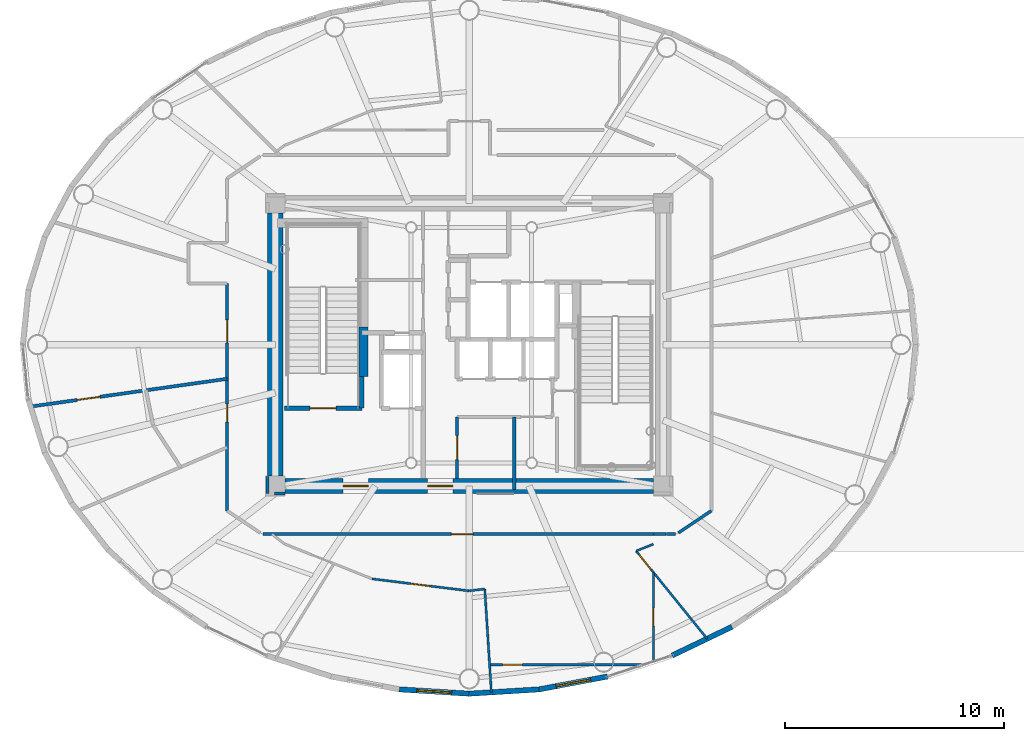
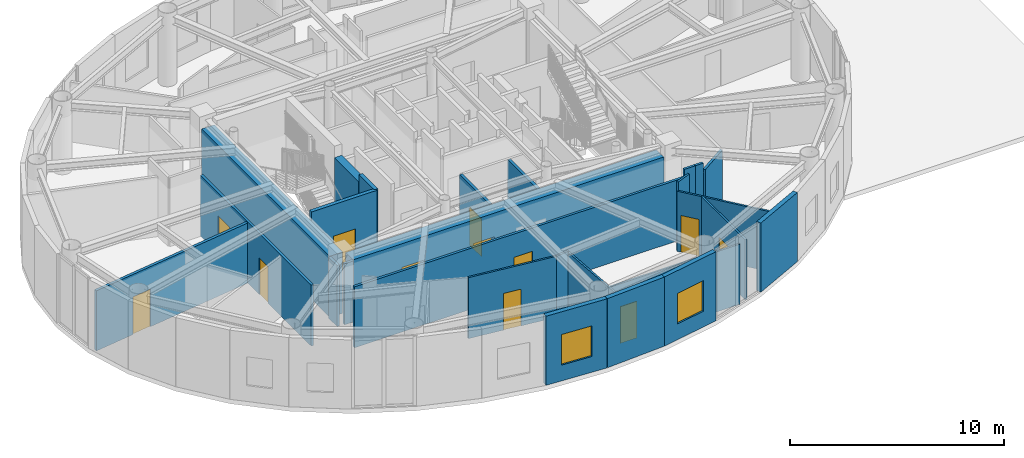
# One storey, part 14 of 24: 26 walls, 12 doors, 2 windows, 14 openings.
"""IFC4 building model written with IfcOpenShell, lengths in metres."""

from ifc_helpers import new_model, si_unit, direction, frame, frame_2d, origin, origin_2d, place, context, subcontext, project, spatial, rectangle, extrude, source, transform, mapped, material, layer, layer_set, type_object, element, fill, save


model = new_model("IFC4")

# Units and contexts
model_context = context("Model", 3, precision=1e-05, world=origin(), true_north=direction((0.0, 1.0)))
body_context = subcontext(model_context, "Body", "Model", "MODEL_VIEW")
ifc_project = project(units=[si_unit("LENGTHUNIT", "METRE"), si_unit("AREAUNIT", "SQUARE_METRE"), si_unit("VOLUMEUNIT", "CUBIC_METRE"), si_unit("PLANEANGLEUNIT", "RADIAN"), si_unit("MASSUNIT", "GRAM", prefix="KILO")], contexts=[model_context])

# Site, building, storey
site_placement = place(None, origin())
site = spatial("IfcSite", under=ifc_project, at=site_placement, CompositionType="ELEMENT")
building_placement = place(site_placement, origin())
building = spatial("IfcBuilding", under=site, at=building_placement, Name="Linh Dai School and Residence Tower", CompositionType="ELEMENT")
storey_placement = place(building_placement, frame((0.0, 0.0, 355.199951171875)))
storey = spatial("IfcBuildingStorey", under=building, at=storey_placement, Name="L88", CompositionType="ELEMENT", Elevation=355.199951171875)

# Wall, opening, window
ifc_material_1 = material(Name="Precast Concrete B45 (C35/45)", Category="concrete")
ifc_layer_1 = layer(ifc_material_1, 0.239990234375)
ifc_layer_set_1 = layer_set([ifc_layer_1], Name="Precast Concrete B45 (C35/45)")
wall_type_1 = type_object("IfcWallType", Name="EW-TC-240", PredefinedType="SOLIDWALL", material=ifc_layer_set_1)
wall_1_placement = place(storey_placement, frame((36.0, 11.070068359375, 0.0), z_axis=(0.0, 0.0, 1.0), x_axis=(-0.998109204399, 0.061465568355, 0.0)))
wall_1 = element("IfcWall", 1, at=wall_1_placement, inside=storey, type_object=wall_type_1, Name="L88 Terracotta Exterior Wall 30", PredefinedType="SOLIDWALL", context=body_context, shape_type="SweptSolid", body=[
    extrude(rectangle(XDim=3.197509765625, YDim=0.239990234375, at=frame_2d((1.5986328125, 0.0))), origin(), (0.0, 0.0, 1.0), 3.949951171875),
])
opening_1_placement = place(wall_1_placement, frame((0.798828125, 0.0, 0.89990234375)))
opening_1 = element("IfcOpeningElement", 2, at=opening_1_placement, cuts=wall_1, Name="Opening W2", PredefinedType="OPENING", context=body_context, shape_type="SweptSolid", body=[
    extrude(rectangle(XDim=1.60009765625, YDim=1.75, at=origin_2d()), frame((0.800048828125, 0.1298828125, 0.875), z_axis=(0.0, -1.0, 0.0), x_axis=(1.0, 0.0, 0.0)), (0.0, 0.0, 1.0), 0.260009765625),
])
ifc_material_2 = material(Name="Double Low-E Insulated Glazing", Category="glass")
window_type = type_object("IfcWindowType", Name="WN-RES-1600x1750", PartitioningType="DOUBLE_PANEL_VERTICAL", PredefinedType="WINDOW", material=ifc_material_2)
shared_shape_1 = source(origin(), body_context, "Body", "SweptSolid", [
    extrude(rectangle(XDim=1.60009765625, YDim=1.75, at=origin_2d()), frame((0.800048828125, 0.030029296875, 0.875), z_axis=(0.0, -1.0, 0.0), x_axis=(1.0, 0.0, 0.0)), (0.0, 0.0, 1.0), 0.06005859375),
])
window_1_placement = place(opening_1_placement, origin())
window_1 = element("IfcWindow", 3, at=window_1_placement, inside=storey, type_object=window_type, Name="L88 Exterior Window 30.1", OverallHeight=1.75, OverallWidth=1.60009765625, PartitioningType="DOUBLE_PANEL_VERTICAL", PredefinedType="WINDOW", context=body_context, shape_type="MappedRepresentation", body=[
    mapped(shared_shape_1, transform((0.0, 0.0, 0.0), x_axis=(1.0, 0.0, 0.0), y_axis=(0.0, 1.0, 0.0), z_axis=(0.0, 0.0, 1.0), scale=1.0)),
])
fill(opening_1, window_1)

# Wall
wall_2_placement = place(storey_placement, frame((39.19140625, 11.2666015625, 0.0), z_axis=(0.0, 0.0, 1.0), x_axis=(-0.998109204399, -0.061465568355, 0.0)))
element("IfcWall", 4, at=wall_2_placement, inside=storey, type_object=wall_type_1, Name="L88 Terracotta Exterior Wall 31", PredefinedType="SOLIDWALL", context=body_context, shape_type="SweptSolid", body=[
    extrude(rectangle(XDim=3.197509765625, YDim=0.239990234375, at=frame_2d((1.5986328125, 0.0))), origin(), (0.0, 0.0, 1.0), 3.949951171875),
])

# Wall, opening, window
wall_3_placement = place(storey_placement, frame((42.303955078125, 11.85205078125, 0.0), z_axis=(0.0, 0.0, 1.0), x_axis=(-0.98276643264, -0.184851667226, 0.0)))
wall_3 = element("IfcWall", 5, at=wall_3_placement, inside=storey, type_object=wall_type_1, Name="L88 Terracotta Exterior Wall 32", PredefinedType="SOLIDWALL", context=body_context, shape_type="SweptSolid", body=[
    extrude(rectangle(XDim=3.167236328125, YDim=0.239990234375, at=frame_2d((1.58349609375, 0.0))), origin(), (0.0, 0.0, 1.0), 3.949951171875),
])
opening_2_placement = place(wall_3_placement, frame((0.78369140625, 0.0, 0.89990234375)))
opening_2 = element("IfcOpeningElement", 6, at=opening_2_placement, cuts=wall_3, Name="Opening W2", PredefinedType="OPENING", context=body_context, shape_type="SweptSolid", body=[
    extrude(rectangle(XDim=1.60009765625, YDim=1.75, at=origin_2d()), frame((0.800048828125, 0.1298828125, 0.875), z_axis=(0.0, -1.0, 0.0), x_axis=(1.0, 0.0, 0.0)), (0.0, 0.0, 1.0), 0.260009765625),
])
window_2_placement = place(opening_2_placement, origin())
window_2 = element("IfcWindow", 7, at=window_2_placement, inside=storey, type_object=window_type, Name="L88 Exterior Window 32.1", OverallHeight=1.75, OverallWidth=1.60009765625, PartitioningType="DOUBLE_PANEL_VERTICAL", PredefinedType="WINDOW", context=body_context, shape_type="MappedRepresentation", body=[
    mapped(shared_shape_1, transform((0.0, 0.0, 0.0), x_axis=(1.0, 0.0, 0.0), y_axis=(0.0, 1.0, 0.0), z_axis=(0.0, 0.0, 1.0), scale=1.0)),
])
fill(opening_2, window_2)

# Wall
wall_4_placement = place(storey_placement, frame((47.98779296875, 14.119873046875, 0.0), z_axis=(0.0, 0.0, 1.0), x_axis=(-0.901557057889, -0.432660226241, 0.0)))
element("IfcWall", 8, at=wall_4_placement, inside=storey, type_object=wall_type_1, Name="L88 Terracotta Exterior Wall 34", PredefinedType="SOLIDWALL", context=body_context, shape_type="SweptSolid", body=[
    extrude(rectangle(XDim=3.025146484375, YDim=0.239990234375, at=frame_2d((1.5126953125, 0.0))), origin(), (0.0, 0.0, 1.0), 3.949951171875),
])

# Wall, openings, doors
ifc_material_3 = material(Name="Autoclaved Aerated Concrete Blockwork", Category="masonry")
ifc_layer_2 = layer(ifc_material_3, 0.135009765625)
ifc_layer_set_2 = layer_set([ifc_layer_2], Name="Autoclaved Aerated Concrete Blockwork")
wall_type_2 = type_object("IfcWallType", Name="IW-CORR-135-EI90", PredefinedType="PARTITIONING", material=ifc_layer_set_2)
wall_5_placement = place(storey_placement, frame((24.949951171875, 19.41748046875, 0.0), z_axis=(0.0, 0.0, 1.0), x_axis=(0.0, 1.0, 0.0)))
wall_5 = element("IfcWall", 9, at=wall_5_placement, inside=storey, type_object=wall_type_2, Name="L88 Interior Partition Wall 010", PredefinedType="PARTITIONING", context=body_context, shape_type="SweptSolid", body=[
    extrude(rectangle(XDim=10.382568359375, YDim=0.135009765625, at=frame_2d((5.19140625, 0.0))), origin(), (0.0, 0.0, 1.0), 3.485107421875),
])
opening_3_placement = place(wall_5_placement, frame((7.6572265625, 0.0, 0.0)))
opening_3 = element("IfcOpeningElement", 10, at=opening_3_placement, cuts=wall_5, Name="Opening D04", PredefinedType="OPENING", context=body_context, shape_type="SweptSolid", body=[
    extrude(rectangle(XDim=1.050048828125, YDim=2.14990234375, at=origin_2d()), frame((0.52490234375, 0.07763671875, 1.074951171875), z_axis=(0.0, -1.0, 0.0), x_axis=(1.0, 0.0, 0.0)), (0.0, 0.0, 1.0), 0.155029296875),
])
opening_4_placement = place(wall_5_placement, frame((4.047119140625, 0.0, 0.0)))
opening_4 = element("IfcOpeningElement", 11, at=opening_4_placement, cuts=wall_5, Name="Opening D06", PredefinedType="OPENING", context=body_context, shape_type="SweptSolid", body=[
    extrude(rectangle(XDim=0.820068359375, YDim=2.10009765625, at=origin_2d()), frame((0.41015625, 0.07763671875, 1.050048828125), z_axis=(0.0, -1.0, 0.0), x_axis=(1.0, 0.0, 0.0)), (0.0, 0.0, 1.0), 0.155029296875),
])
ifc_material_4 = material(Name="Acoustic Vision-Panel Timber Classroom Door", Category="wood")
door_type_1 = type_object("IfcDoorType", Name="DR-SCH-1050x2150-FD60S", OperationType="NOTDEFINED", PredefinedType="DOOR", material=ifc_material_4)
shared_shape_2 = source(origin(), body_context, "Body", "SweptSolid", [
    extrude(rectangle(XDim=1.050048828125, YDim=2.14990234375, at=origin_2d()), frame((0.52490234375, 0.02490234375, 1.074951171875), z_axis=(0.0, -1.0, 0.0), x_axis=(1.0, 0.0, 0.0)), (0.0, 0.0, 1.0), 0.050048828125),
])
door_1_placement = place(opening_3_placement, origin())
door_1 = element("IfcDoor", 12, at=door_1_placement, inside=storey, type_object=door_type_1, Name="L88 Crown Sky Wintergarden Lounge Reading Room Door", OperationType="SINGLE_SWING_LEFT", OverallHeight=2.14990234375, OverallWidth=1.050048828125, PredefinedType="DOOR", context=body_context, shape_type="MappedRepresentation", body=[
    mapped(shared_shape_2, transform((0.0, 0.0, 0.0), x_axis=(1.0, 0.0, 0.0), y_axis=(0.0, 1.0, 0.0), z_axis=(0.0, 0.0, 1.0), scale=1.0)),
])
fill(opening_3, door_1)
ifc_material_5 = material(Name="Moisture-Resistant Timber Bathroom Door", Category="wood")
door_type_2 = type_object("IfcDoorType", Name="DR-WET-820x2100", OperationType="NOTDEFINED", PredefinedType="DOOR", material=ifc_material_5)
shared_shape_3 = source(origin(), body_context, "Body", "SweptSolid", [
    extrude(rectangle(XDim=0.820068359375, YDim=2.10009765625, at=origin_2d()), frame((0.41015625, 0.02490234375, 1.050048828125), z_axis=(0.0, -1.0, 0.0), x_axis=(1.0, 0.0, 0.0)), (0.0, 0.0, 1.0), 0.050048828125),
])
door_2_placement = place(opening_4_placement, origin())
door_2 = element("IfcDoor", 13, at=door_2_placement, inside=storey, type_object=door_type_2, Name="L88 Amenity Accessible WC Door", OperationType="SINGLE_SWING_RIGHT", OverallHeight=2.10009765625, OverallWidth=0.820068359375, PredefinedType="DOOR", context=body_context, shape_type="MappedRepresentation", body=[
    mapped(shared_shape_3, transform((0.0, 0.0, 0.0), x_axis=(1.0, 0.0, 0.0), y_axis=(0.0, 1.0, 0.0), z_axis=(0.0, 0.0, 1.0), scale=1.0)),
])
fill(opening_4, door_2)

# Wall, opening, door
wall_6_placement = place(storey_placement, frame((26.580078125, 18.35009765625, 0.0), z_axis=(0.0, 0.0, 1.0), x_axis=(1.0, 0.0, 0.0)))
wall_6 = element("IfcWall", 14, at=wall_6_placement, inside=storey, type_object=wall_type_2, Name="L88 Interior Partition Wall 014", PredefinedType="PARTITIONING", context=body_context, shape_type="SweptSolid", body=[
    extrude(rectangle(XDim=17.8232421875, YDim=0.135009765625, at=frame_2d((8.91162109375, 0.0))), origin(), (0.0, 0.0, 1.0), 3.485107421875),
])
opening_5_placement = place(wall_6_placement, frame((8.60205078125, 0.0, 0.0)))
opening_5 = element("IfcOpeningElement", 15, at=opening_5_placement, cuts=wall_6, Name="Opening D03", PredefinedType="OPENING", context=body_context, shape_type="SweptSolid", body=[
    extrude(rectangle(XDim=1.0, YDim=2.14990234375, at=origin_2d()), frame((0.5, 0.07763671875, 1.074951171875), z_axis=(0.0, -1.0, 0.0), x_axis=(1.0, 0.0, 0.0)), (0.0, 0.0, 1.0), 0.155029296875),
])
ifc_material_6 = material(Name="Fire-Rated Solid Timber Entrance Door", Category="wood")
door_type_3 = type_object("IfcDoorType", Name="DR-FLAT-1000x2150-FD60S", OperationType="NOTDEFINED", PredefinedType="DOOR", material=ifc_material_6)
shared_shape_4 = source(origin(), body_context, "Body", "SweptSolid", [
    extrude(rectangle(XDim=1.0, YDim=2.14990234375, at=origin_2d()), frame((0.5, 0.02490234375, 1.074951171875), z_axis=(0.0, -1.0, 0.0), x_axis=(1.0, 0.0, 0.0)), (0.0, 0.0, 1.0), 0.050048828125),
])
door_3_placement = place(opening_5_placement, origin())
door_3 = element("IfcDoor", 16, at=door_3_placement, inside=storey, type_object=door_type_3, Name="L88 U8801 Apartment Entrance Door", OperationType="SINGLE_SWING_RIGHT", OverallHeight=2.14990234375, OverallWidth=1.0, PredefinedType="DOOR", context=body_context, shape_type="MappedRepresentation", body=[
    mapped(shared_shape_4, transform((0.0, 0.0, 0.0), x_axis=(1.0, 0.0, 0.0), y_axis=(0.0, 1.0, 0.0), z_axis=(0.0, 0.0, 1.0), scale=1.0)),
])
fill(opening_5, door_3)

wall_7_placement = place(storey_placement, frame((35.449951171875, 20.89990234375, 0.0), z_axis=(0.0, 0.0, 1.0), x_axis=(0.0, 1.0, 0.0)))
wall_7 = element("IfcWall", 17, at=wall_7_placement, inside=storey, type_object=wall_type_2, Name="L88 Interior Partition Wall 043", PredefinedType="PARTITIONING", context=body_context, shape_type="SweptSolid", body=[
    extrude(rectangle(XDim=2.800048828125, YDim=0.135009765625, at=frame_2d((1.39990234375, 0.0))), origin(), (0.0, 0.0, 1.0), 3.53515625),
])
opening_6_placement = place(wall_7_placement, frame((0.85009765625, 0.0, 0.0)))
opening_6 = element("IfcOpeningElement", 18, at=opening_6_placement, cuts=wall_7, Name="Opening D07", PredefinedType="OPENING", context=body_context, shape_type="SweptSolid", body=[
    extrude(rectangle(XDim=1.10009765625, YDim=2.14990234375, at=origin_2d()), frame((0.550048828125, 0.07763671875, 1.074951171875), z_axis=(0.0, -1.0, 0.0), x_axis=(1.0, 0.0, 0.0)), (0.0, 0.0, 1.0), 0.155029296875),
])
ifc_material_7 = material(Name="Fire-Rated Louvred Steel Plant Door", Category="steel")
door_type_4 = type_object("IfcDoorType", Name="DR-PLT-1100x2150-FD60S", OperationType="NOTDEFINED", PredefinedType="DOOR", material=ifc_material_7)
shared_shape_5 = source(origin(), body_context, "Body", "SweptSolid", [
    extrude(rectangle(XDim=1.10009765625, YDim=2.14990234375, at=origin_2d()), frame((0.550048828125, 0.02490234375, 1.074951171875), z_axis=(0.0, -1.0, 0.0), x_axis=(1.0, 0.0, 0.0)), (0.0, 0.0, 1.0), 0.050048828125),
])
door_4_placement = place(opening_6_placement, origin())
door_4 = element("IfcDoor", 19, at=door_4_placement, inside=storey, type_object=door_type_4, Name="L88 Floor Electrical Switchroom Door", OperationType="SINGLE_SWING_LEFT", OverallHeight=2.14990234375, OverallWidth=1.10009765625, PredefinedType="DOOR", context=body_context, shape_type="MappedRepresentation", body=[
    mapped(shared_shape_5, transform((0.0, 0.0, 0.0), x_axis=(1.0, 0.0, 0.0), y_axis=(0.0, 1.0, 0.0), z_axis=(0.0, 0.0, 1.0), scale=1.0)),
])
fill(opening_6, door_4)

# Walls
wall_8_placement = place(storey_placement, frame((44.999267578125, 18.35009765625, 0.0), z_axis=(0.0, 0.0, 1.0), x_axis=(1.0, 0.0, 0.0)))
element("IfcWall", 20, at=wall_8_placement, inside=storey, type_object=wall_type_2, Name="L88 Interior Partition Wall 071", PredefinedType="PARTITIONING", context=body_context, shape_type="SweptSolid", body=[
    extrude(rectangle(XDim=0.420654296875, YDim=0.135009765625, at=frame_2d((0.21044921875, 0.0))), origin(), (0.0, 0.0, 1.0), 3.949951171875),
])
wall_9_placement = place(storey_placement, frame((45.541259765625, 18.408203125, 0.0), z_axis=(0.0, 0.0, 1.0), x_axis=(0.831180227396, 0.556003084151, 0.0)))
element("IfcWall", 21, at=wall_9_placement, inside=storey, type_object=wall_type_2, Name="L88 Interior Partition Wall 073", PredefinedType="PARTITIONING", context=body_context, shape_type="SweptSolid", body=[
    extrude(rectangle(XDim=1.815185546875, YDim=0.135009765625, at=frame_2d((0.90771484375, 0.0))), origin(), (0.0, 0.0, 1.0), 3.485107421875),
])
wall_10_placement = place(storey_placement, frame((44.9892578125, 18.35009765625, 0.0), z_axis=(0.0, 0.0, 1.0), x_axis=(-1.0, 0.0, 0.0)))
element("IfcWall", 22, at=wall_10_placement, inside=storey, type_object=wall_type_2, Name="L88 Interior Partition Wall 083", PredefinedType="PARTITIONING", context=body_context, shape_type="SweptSolid", body=[
    extrude(rectangle(XDim=0.575927734375, YDim=0.135009765625, at=frame_2d((0.2880859375, 0.0))), origin(), (0.0, 0.0, 1.0), 3.949951171875),
])
wall_11_placement = place(storey_placement, frame((26.800048828125, 20.989990234375, 0.0), z_axis=(0.0, 0.0, 1.0), x_axis=(0.0, -1.0, 0.0)))
element("IfcWall", 23, at=wall_11_placement, inside=storey, type_object=wall_type_2, Name="L88 Interior Partition Wall 087", PredefinedType="PARTITIONING", context=body_context, shape_type="SweptSolid", body=[
    extrude(rectangle(XDim=0.7900390625, YDim=0.135009765625, at=frame_2d((0.39501953125, 0.0))), origin(), (0.0, 0.0, 1.0), 3.485107421875),
])
wall_12_placement = place(storey_placement, frame((27.107421875, 20.199951171875, 0.0), z_axis=(0.0, 0.0, 1.0), x_axis=(1.0, 0.0, 0.0)))
element("IfcWall", 24, at=wall_12_placement, inside=storey, type_object=wall_type_2, Name="L88 Interior Partition Wall 088", PredefinedType="PARTITIONING", context=body_context, shape_type="SweptSolid", body=[
    extrude(rectangle(XDim=0.482666015625, YDim=0.135009765625, at=frame_2d((0.2412109375, 0.0))), origin(), (0.0, 0.0, 1.0), 3.485107421875),
])

# Wall, opening, door
ifc_layer_3 = layer(ifc_material_3, 0.14990234375)
ifc_layer_set_3 = layer_set([ifc_layer_3], Name="Autoclaved Aerated Concrete Blockwork")
wall_type_3 = type_object("IfcWallType", Name="IW-SCH-150-EI60", PredefinedType="PARTITIONING", material=ifc_layer_set_3)
wall_13_placement = place(storey_placement, frame((15.974609375, 24.17138671875, 0.0), z_axis=(0.0, 0.0, 1.0), x_axis=(0.990170209823, 0.139867635928, 0.0)))
wall_13 = element("IfcWall", 25, at=wall_13_placement, inside=storey, type_object=wall_type_3, Name="L88 Interior Partition Wall 001", PredefinedType="PARTITIONING", context=body_context, shape_type="SweptSolid", body=[
    extrude(rectangle(XDim=9.064453125, YDim=0.14990234375, at=frame_2d((4.5322265625, 0.0))), origin(), (0.0, 0.0, 1.0), 3.43505859375),
])
opening_7_placement = place(wall_13_placement, frame((2.15966796875, 0.0, 0.0)))
opening_7 = element("IfcOpeningElement", 26, at=opening_7_placement, cuts=wall_13, Name="Opening D04", PredefinedType="OPENING", context=body_context, shape_type="SweptSolid", body=[
    extrude(rectangle(XDim=1.050048828125, YDim=2.14990234375, at=origin_2d()), frame((0.52490234375, 0.0849609375, 1.074951171875), z_axis=(0.0, -1.0, 0.0), x_axis=(1.0, 0.0, 0.0)), (0.0, 0.0, 1.0), 0.169921875),
])
door_5_placement = place(opening_7_placement, origin())
door_5 = element("IfcDoor", 27, at=door_5_placement, inside=storey, type_object=door_type_1, Name="L88 Amenity Tea Salon Door", OperationType="SINGLE_SWING_LEFT", OverallHeight=2.14990234375, OverallWidth=1.050048828125, PredefinedType="DOOR", context=body_context, shape_type="MappedRepresentation", body=[
    mapped(shared_shape_2, transform((0.0, 0.0, 0.0), x_axis=(1.0, 0.0, 0.0), y_axis=(0.0, 1.0, 0.0), z_axis=(0.0, 0.0, 1.0), scale=1.0)),
])
fill(opening_7, door_5)

# Wall
wall_14_placement = place(storey_placement, frame((38.050048828125, 20.3798828125, 0.0), z_axis=(0.0, 0.0, 1.0), x_axis=(0.0, 1.0, 0.0)))
element("IfcWall", 28, at=wall_14_placement, inside=storey, type_object=wall_type_3, Name="L88 Interior Partition Wall 057", PredefinedType="PARTITIONING", context=body_context, shape_type="SweptSolid", body=[
    extrude(rectangle(XDim=3.320068359375, YDim=0.14990234375, at=frame_2d((1.66015625, 0.0))), origin(), (0.0, 0.0, 1.0), 3.485107421875),
])

# Wall, opening, door
ifc_material_8 = material(Name="Concrete B45 (C35/45)", Category="concrete")
ifc_layer_4 = layer(ifc_material_8, 0.199951171875)
ifc_layer_set_4 = layer_set([ifc_layer_4], Name="Concrete B45 (C35/45)")
wall_type_4 = type_object("IfcWallType", Name="IW-SHAFT-200-EI120", PredefinedType="PARTITIONING", material=ifc_layer_set_4)
wall_15_placement = place(storey_placement, frame((27.56005859375, 24.10009765625, 0.0), z_axis=(0.0, 0.0, 1.0), x_axis=(1.0, 0.0, 0.0)))
wall_15 = element("IfcWall", 29, at=wall_15_placement, inside=storey, type_object=wall_type_4, Name="L88 Interior Partition Wall 019", PredefinedType="PARTITIONING", context=body_context, shape_type="SweptSolid", body=[
    extrude(rectangle(XDim=3.5400390625, YDim=0.199951171875, at=frame_2d((1.77001953125, 0.0))), origin(), (0.0, 0.0, 1.0), 3.949951171875),
])
opening_8_placement = place(wall_15_placement, frame((1.169921875, 0.0, 0.0)))
opening_8 = element("IfcOpeningElement", 30, at=opening_8_placement, cuts=wall_15, Name="Opening D01", PredefinedType="OPENING", context=body_context, shape_type="SweptSolid", body=[
    extrude(rectangle(XDim=1.199951171875, YDim=2.14990234375, at=origin_2d()), frame((0.60009765625, 0.10986328125, 1.074951171875), z_axis=(0.0, -1.0, 0.0), x_axis=(1.0, 0.0, 0.0)), (0.0, 0.0, 1.0), 0.219970703125),
])
ifc_material_9 = material(Name="Fire-Rated Steel Door Leaf", Category="steel")
door_type_5 = type_object("IfcDoorType", Name="DR-STAIR-1200x2150-FD90S", OperationType="NOTDEFINED", PredefinedType="DOOR", material=ifc_material_9)
shared_shape_6 = source(origin(), body_context, "Body", "SweptSolid", [
    extrude(rectangle(XDim=1.199951171875, YDim=2.14990234375, at=origin_2d()), frame((0.60009765625, 0.02490234375, 1.074951171875), z_axis=(0.0, -1.0, 0.0), x_axis=(1.0, 0.0, 0.0)), (0.0, 0.0, 1.0), 0.050048828125),
])
door_6_placement = place(opening_8_placement, origin())
door_6 = element("IfcDoor", 31, at=door_6_placement, inside=storey, type_object=door_type_5, Name="L88 Core Smokeproof Exit Stair ST1 Door", OperationType="SINGLE_SWING_RIGHT", OverallHeight=2.14990234375, OverallWidth=1.199951171875, PredefinedType="DOOR", context=body_context, shape_type="MappedRepresentation", body=[
    mapped(shared_shape_6, transform((0.0, 0.0, 0.0), x_axis=(1.0, 0.0, 0.0), y_axis=(0.0, 1.0, 0.0), z_axis=(0.0, 0.0, 1.0), scale=1.0)),
])
fill(opening_8, door_6)

# Wall
wall_16_placement = place(storey_placement, frame((31.10009765625, 24.10009765625, 0.0), z_axis=(0.0, 0.0, 1.0), x_axis=(0.0, 1.0, 0.0)))
element("IfcWall", 32, at=wall_16_placement, inside=storey, type_object=wall_type_4, Name="L88 Interior Partition Wall 025", PredefinedType="PARTITIONING", context=body_context, shape_type="SweptSolid", body=[
    extrude(rectangle(XDim=1.43994140625, YDim=0.199951171875, at=frame_2d((0.719970703125, 0.0))), origin(), (0.0, 0.0, 1.0), 3.949951171875),
])

# Wall, opening, door
ifc_material_10 = material(Name="Gypsum Plasterboard Acoustic Stud Partition", Category="masonry")
ifc_layer_5 = layer(ifc_material_10, 0.10009765625)
ifc_layer_set_5 = layer_set([ifc_layer_5], Name="Gypsum Plasterboard Acoustic Stud Partition")
wall_type_5 = type_object("IfcWallType", Name="IW-UNIT-100", PredefinedType="PARTITIONING", material=ifc_layer_set_5)
wall_17_placement = place(storey_placement, frame((31.565673828125, 16.3115234375, 0.0), z_axis=(0.0, 0.0, 1.0), x_axis=(0.992394278216, -0.123099945429, 0.0)))
wall_17 = element("IfcWall", 33, at=wall_17_placement, inside=storey, type_object=wall_type_5, Name="L88 Interior Partition Wall 027", PredefinedType="PARTITIONING", context=body_context, shape_type="SweptSolid", body=[
    extrude(rectangle(XDim=4.46826171875, YDim=0.10009765625, at=frame_2d((2.234130859375, 0.0))), origin(), (0.0, 0.0, 1.0), 3.485107421875),
])
opening_9_placement = place(wall_17_placement, frame((1.7841796875, 0.0, 0.0)))
opening_9 = element("IfcOpeningElement", 34, at=opening_9_placement, cuts=wall_17, Name="Opening D05", PredefinedType="OPENING", context=body_context, shape_type="SweptSolid", body=[
    extrude(rectangle(XDim=0.89990234375, YDim=2.10009765625, at=origin_2d()), frame((0.449951171875, 0.06005859375, 1.050048828125), z_axis=(0.0, -1.0, 0.0), x_axis=(1.0, 0.0, 0.0)), (0.0, 0.0, 1.0), 0.1201171875),
])
ifc_material_11 = material(Name="Engineered Timber Internal Door", Category="wood")
door_type_6 = type_object("IfcDoorType", Name="DR-INT-900x2100", OperationType="NOTDEFINED", PredefinedType="DOOR", material=ifc_material_11)
shared_shape_7 = source(origin(), body_context, "Body", "SweptSolid", [
    extrude(rectangle(XDim=0.89990234375, YDim=2.10009765625, at=origin_2d()), frame((0.449951171875, 0.02490234375, 1.050048828125), z_axis=(0.0, -1.0, 0.0), x_axis=(1.0, 0.0, 0.0)), (0.0, 0.0, 1.0), 0.050048828125),
])
door_7_placement = place(opening_9_placement, origin())
door_7 = element("IfcDoor", 35, at=door_7_placement, inside=storey, type_object=door_type_6, Name="L88 Apartment U8801 Principal Bedroom 2 Door", OperationType="SINGLE_SWING_RIGHT", OverallHeight=2.10009765625, OverallWidth=0.89990234375, PredefinedType="DOOR", context=body_context, shape_type="MappedRepresentation", body=[
    mapped(shared_shape_7, transform((0.0, 0.0, 0.0), x_axis=(1.0, 0.0, 0.0), y_axis=(0.0, 1.0, 0.0), z_axis=(0.0, 0.0, 1.0), scale=1.0)),
])
fill(opening_9, door_7)

# Walls
wall_18_placement = place(storey_placement, frame((36.0, 15.761474609375, 0.0), z_axis=(0.0, 0.0, 1.0), x_axis=(0.992392872085, 0.123111280695, 0.0)))
element("IfcWall", 36, at=wall_18_placement, inside=storey, type_object=wall_type_5, Name="L88 Interior Partition Wall 050", PredefinedType="PARTITIONING", context=body_context, shape_type="SweptSolid", body=[
    extrude(rectangle(XDim=0.7158203125, YDim=0.10009765625, at=frame_2d((0.35791015625, 0.0))), origin(), (0.0, 0.0, 1.0), 3.485107421875),
])
wall_19_placement = place(storey_placement, frame((36.71044921875, 15.849609375, 0.0), z_axis=(0.0, 0.0, 1.0), x_axis=(0.063566766026, -0.997977588053, 0.0)))
element("IfcWall", 37, at=wall_19_placement, inside=storey, type_object=wall_type_5, Name="L88 Interior Partition Wall 051", PredefinedType="PARTITIONING", context=body_context, shape_type="SweptSolid", body=[
    extrude(rectangle(XDim=4.731689453125, YDim=0.10009765625, at=frame_2d((2.36572265625, 0.0))), origin(), (0.0, 0.0, 1.0), 3.43505859375),
])

# Wall, opening, door
wall_20_placement = place(storey_placement, frame((36.9306640625, 12.391845703125, 0.0), z_axis=(0.0, 0.0, 1.0), x_axis=(1.0, 0.0, 0.0)))
wall_20 = element("IfcWall", 38, at=wall_20_placement, inside=storey, type_object=wall_type_5, Name="L88 Interior Partition Wall 052", PredefinedType="PARTITIONING", context=body_context, shape_type="SweptSolid", body=[
    extrude(rectangle(XDim=7.053466796875, YDim=0.10009765625, at=frame_2d((3.52685546875, 0.0))), origin(), (0.0, 0.0, 1.0), 3.43505859375),
])
opening_10_placement = place(wall_20_placement, frame((0.593017578125, 0.0, 0.0)))
opening_10 = element("IfcOpeningElement", 39, at=opening_10_placement, cuts=wall_20, Name="Opening D05", PredefinedType="OPENING", context=body_context, shape_type="SweptSolid", body=[
    extrude(rectangle(XDim=0.89990234375, YDim=2.10009765625, at=origin_2d()), frame((0.449951171875, 0.06005859375, 1.050048828125), z_axis=(0.0, -1.0, 0.0), x_axis=(1.0, 0.0, 0.0)), (0.0, 0.0, 1.0), 0.1201171875),
])
door_8_placement = place(opening_10_placement, origin())
door_8 = element("IfcDoor", 40, at=door_8_placement, inside=storey, type_object=door_type_6, Name="L88 Apartment U8801 Kitchen Door", OperationType="SINGLE_SWING_LEFT", OverallHeight=2.10009765625, OverallWidth=0.89990234375, PredefinedType="DOOR", context=body_context, shape_type="MappedRepresentation", body=[
    mapped(shared_shape_7, transform((0.0, 0.0, 0.0), x_axis=(1.0, 0.0, 0.0), y_axis=(0.0, 1.0, 0.0), z_axis=(0.0, 0.0, 1.0), scale=1.0)),
])
fill(opening_10, door_8)

# Wall
wall_21_placement = place(storey_placement, frame((43.617919921875, 17.581787109375, 0.0), z_axis=(0.0, 0.0, 1.0), x_axis=(0.92875517638, 0.370693704219, 0.0)))
element("IfcWall", 41, at=wall_21_placement, inside=storey, type_object=wall_type_5, Name="L88 Interior Partition Wall 068", PredefinedType="PARTITIONING", context=body_context, shape_type="SweptSolid", body=[
    extrude(rectangle(XDim=0.845703125, YDim=0.10009765625, at=frame_2d((0.4228515625, 0.0))), origin(), (0.0, 0.0, 1.0), 3.949951171875),
])

# Wall, opening, door
wall_22_placement = place(storey_placement, frame((43.617919921875, 17.581787109375, 0.0), z_axis=(0.0, 0.0, 1.0), x_axis=(0.628895770236, -0.777489620624, 0.0)))
wall_22 = element("IfcWall", 42, at=wall_22_placement, inside=storey, type_object=wall_type_5, Name="L88 Interior Partition Wall 069", PredefinedType="PARTITIONING", context=body_context, shape_type="SweptSolid", body=[
    extrude(rectangle(XDim=5.15576171875, YDim=0.10009765625, at=frame_2d((2.577880859375, 0.0))), origin(), (0.0, 0.0, 1.0), 3.43505859375),
])
opening_11_placement = place(wall_22_placement, frame((0.194580078125, 0.0, 0.0)))
opening_11 = element("IfcOpeningElement", 43, at=opening_11_placement, cuts=wall_22, Name="Opening D05", PredefinedType="OPENING", context=body_context, shape_type="SweptSolid", body=[
    extrude(rectangle(XDim=0.89990234375, YDim=2.10009765625, at=origin_2d()), frame((0.449951171875, 0.06005859375, 1.050048828125), z_axis=(0.0, -1.0, 0.0), x_axis=(1.0, 0.0, 0.0)), (0.0, 0.0, 1.0), 0.1201171875),
])
door_9_placement = place(opening_11_placement, origin())
door_9 = element("IfcDoor", 44, at=door_9_placement, inside=storey, type_object=door_type_6, Name="L88 Apartment U8801 Principal Bedroom 3 Door", OperationType="SINGLE_SWING_LEFT", OverallHeight=2.10009765625, OverallWidth=0.89990234375, PredefinedType="DOOR", context=body_context, shape_type="MappedRepresentation", body=[
    mapped(shared_shape_7, transform((0.0, 0.0, 0.0), x_axis=(1.0, 0.0, 0.0), y_axis=(0.0, 1.0, 0.0), z_axis=(0.0, 0.0, 1.0), scale=1.0)),
])
fill(opening_11, door_9)

wall_23_placement = place(storey_placement, frame((44.4033203125, 12.527587890625, 0.0), z_axis=(0.0, 0.0, 1.0), x_axis=(0.0, 1.0, 0.0)))
wall_23 = element("IfcWall", 45, at=wall_23_placement, inside=storey, type_object=wall_type_5, Name="L88 Interior Partition Wall 070", PredefinedType="PARTITIONING", context=body_context, shape_type="SweptSolid", body=[
    extrude(rectangle(XDim=4.083251953125, YDim=0.10009765625, at=frame_2d((2.04150390625, 0.0))), origin(), (0.0, 0.0, 1.0), 3.43505859375),
])
opening_12_placement = place(wall_23_placement, frame((1.631591796875, 0.0, 0.0)))
opening_12 = element("IfcOpeningElement", 46, at=opening_12_placement, cuts=wall_23, Name="Opening D06", PredefinedType="OPENING", context=body_context, shape_type="SweptSolid", body=[
    extrude(rectangle(XDim=0.820068359375, YDim=2.10009765625, at=origin_2d()), frame((0.41015625, 0.06005859375, 1.050048828125), z_axis=(0.0, -1.0, 0.0), x_axis=(1.0, 0.0, 0.0)), (0.0, 0.0, 1.0), 0.1201171875),
])
door_10_placement = place(opening_12_placement, origin())
door_10 = element("IfcDoor", 47, at=door_10_placement, inside=storey, type_object=door_type_2, Name="L88 Apartment U8801 Bathroom 1 Door", OperationType="SINGLE_SWING_RIGHT", OverallHeight=2.10009765625, OverallWidth=0.820068359375, PredefinedType="DOOR", context=body_context, shape_type="MappedRepresentation", body=[
    mapped(shared_shape_3, transform((0.0, 0.0, 0.0), x_axis=(1.0, 0.0, 0.0), y_axis=(0.0, 1.0, 0.0), z_axis=(0.0, 0.0, 1.0), scale=1.0)),
])
fill(opening_12, door_10)

# Wall
ifc_layer_6 = layer(ifc_material_8, 0.39990234375)
ifc_layer_set_6 = layer_set([ifc_layer_6], Name="Concrete B45 (C35/45)")
wall_type_6 = type_object("IfcWallType", Name="WL-CORE400", PredefinedType="SHEAR", material=ifc_layer_set_6)
wall_24_placement = place(storey_placement, frame((31.179931640625, 25.550048828125, 0.0), z_axis=(0.0, 0.0, 1.0), x_axis=(0.0, 1.0, 0.0)))
element("IfcWall", 48, at=wall_24_placement, inside=storey, type_object=wall_type_6, Name="L88 Internal Core Shear Wall IW", PredefinedType="SHEAR", context=body_context, shape_type="SweptSolid", body=[
    extrude(rectangle(XDim=2.25, YDim=0.39990234375, at=frame_2d((1.125, 0.0))), origin(), (0.0, 0.0, 1.0), 3.550048828125),
])

# Wall, openings, doors
ifc_layer_7 = layer(ifc_material_8, 0.699951171875)
ifc_layer_set_7 = layer_set([ifc_layer_7], Name="Concrete B45 (C35/45)")
wall_type_7 = type_object("IfcWallType", Name="WL-CORE700", PredefinedType="SHEAR", material=ifc_layer_set_7)
wall_25_placement = place(storey_placement, frame((44.39990234375, 20.550048828125, 0.0), z_axis=(0.0, 0.0, 1.0), x_axis=(-1.0, 0.0, 0.0)))
wall_25 = element("IfcWall", 49, at=wall_25_placement, inside=storey, type_object=wall_type_7, Name="L88 Central Core Shear Wall S", PredefinedType="SHEAR", context=body_context, shape_type="SweptSolid", body=[
    extrude(rectangle(XDim=16.7998046875, YDim=0.699951171875, at=frame_2d((8.39990234375, 0.0))), origin(), (0.0, 0.0, 1.0), 3.5),
])
opening_13_placement = place(wall_25_placement, frame((13.0, 0.0, 0.0)))
opening_13 = element("IfcOpeningElement", 50, at=opening_13_placement, cuts=wall_25, Name="Opening D02", PredefinedType="OPENING", context=body_context, shape_type="SweptSolid", body=[
    extrude(rectangle(XDim=1.14990234375, YDim=2.14990234375, at=origin_2d()), frame((0.574951171875, 0.35986328125, 1.074951171875), z_axis=(0.0, -1.0, 0.0), x_axis=(1.0, 0.0, 0.0)), (0.0, 0.0, 1.0), 0.719970703125),
])
opening_14_placement = place(wall_25_placement, frame((9.14990234375, 0.0, 0.0)))
opening_14 = element("IfcOpeningElement", 51, at=opening_14_placement, cuts=wall_25, Name="Opening D02", PredefinedType="OPENING", context=body_context, shape_type="SweptSolid", body=[
    extrude(rectangle(XDim=1.14990234375, YDim=2.14990234375, at=origin_2d()), frame((0.574951171875, 0.35986328125, 1.074951171875), z_axis=(0.0, -1.0, 0.0), x_axis=(1.0, 0.0, 0.0)), (0.0, 0.0, 1.0), 0.719970703125),
])
ifc_material_12 = material(Name="Fire-Rated Glazed Steel Lobby Door", Category="steel")
door_type_7 = type_object("IfcDoorType", Name="DR-LOBBY-1150x2150-FD90S", OperationType="NOTDEFINED", PredefinedType="DOOR", material=ifc_material_12)
shared_shape_8 = source(origin(), body_context, "Body", "SweptSolid", [
    extrude(rectangle(XDim=1.14990234375, YDim=2.14990234375, at=origin_2d()), frame((0.574951171875, 0.02490234375, 1.074951171875), z_axis=(0.0, -1.0, 0.0), x_axis=(1.0, 0.0, 0.0)), (0.0, 0.0, 1.0), 0.050048828125),
])
door_11_placement = place(opening_13_placement, origin())
door_11 = element("IfcDoor", 52, at=door_11_placement, inside=storey, type_object=door_type_7, Name="L88 Firefighting Lobby Door", OperationType="SINGLE_SWING_LEFT", OverallHeight=2.14990234375, OverallWidth=1.14990234375, PredefinedType="DOOR", context=body_context, shape_type="MappedRepresentation", body=[
    mapped(shared_shape_8, transform((0.0, 0.0, 0.0), x_axis=(1.0, 0.0, 0.0), y_axis=(0.0, 1.0, 0.0), z_axis=(0.0, 0.0, 1.0), scale=1.0)),
])
fill(opening_13, door_11)
door_12_placement = place(opening_14_placement, origin())
door_12 = element("IfcDoor", 53, at=door_12_placement, inside=storey, type_object=door_type_7, Name="L88 Passenger Foyer Access Door", OperationType="SINGLE_SWING_LEFT", OverallHeight=2.14990234375, OverallWidth=1.14990234375, PredefinedType="DOOR", context=body_context, shape_type="MappedRepresentation", body=[
    mapped(shared_shape_8, transform((0.0, 0.0, 0.0), x_axis=(1.0, 0.0, 0.0), y_axis=(0.0, 1.0, 0.0), z_axis=(0.0, 0.0, 1.0), scale=1.0)),
])
fill(opening_14, door_12)

# Wall
wall_26_placement = place(storey_placement, frame((27.14990234375, 21.0, 0.0), z_axis=(0.0, 0.0, 1.0), x_axis=(0.0, 1.0, 0.0)))
element("IfcWall", 54, at=wall_26_placement, inside=storey, type_object=wall_type_7, Name="L88 Central Core Shear Wall W", PredefinedType="SHEAR", context=body_context, shape_type="SweptSolid", body=[
    extrude(rectangle(XDim=12.0, YDim=0.699951171875, at=frame_2d((6.0, 0.0))), origin(), (0.0, 0.0, 1.0), 3.5),
])

save(model, "model.ifc")
